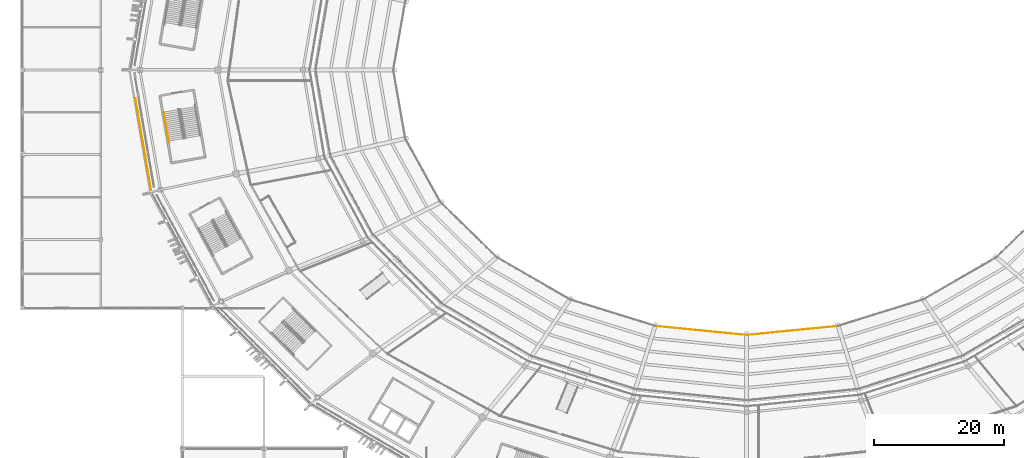
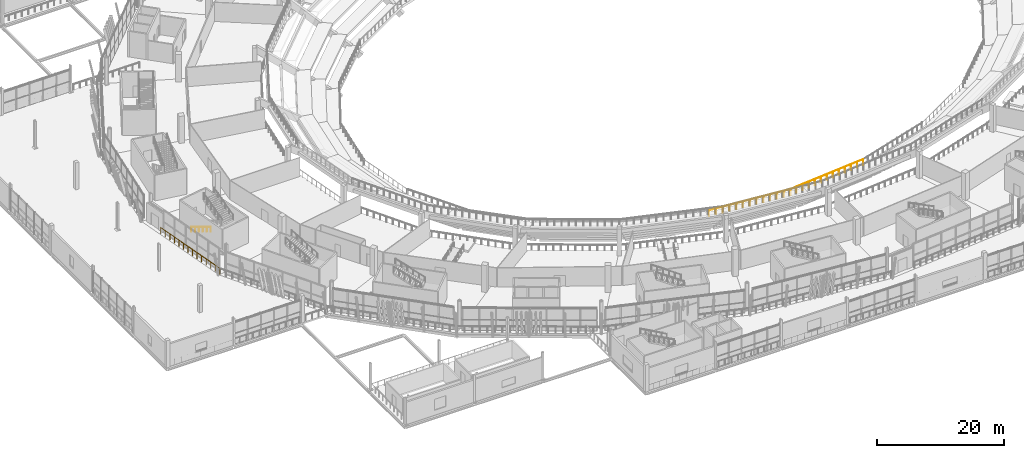
# One storey, part 151 of 178: 4 railings.
"""IFC4 building model written with IfcOpenShell, lengths in metres."""

from ifc_helpers import new_model, si_unit, direction, frame, origin, origin_2d, place, context, subcontext, project, spatial, rectangle, extrude, material, type_object, element, save


model = new_model("IFC4")

# Units and contexts
model_context = context("Model", 3, precision=1e-05, world=origin(), true_north=direction((0.0, 1.0)))
body_context = subcontext(model_context, "Body", "Model", "MODEL_VIEW")
ifc_project = project(units=[si_unit("LENGTHUNIT", "METRE"), si_unit("AREAUNIT", "SQUARE_METRE"), si_unit("VOLUMEUNIT", "CUBIC_METRE"), si_unit("PLANEANGLEUNIT", "RADIAN"), si_unit("MASSUNIT", "GRAM", prefix="KILO")], contexts=[model_context])

# Site, building, storey
site_placement = place(None, origin())
site = spatial("IfcSite", under=ifc_project, at=site_placement, CompositionType="ELEMENT")
building_placement = place(site_placement, origin())
building = spatial("IfcBuilding", under=site, at=building_placement, Name="Zlatoyarsky Gate Stadium", CompositionType="ELEMENT")
storey_placement = place(building_placement, frame((0.0, 0.0, 5.39990234375)))
storey = spatial("IfcBuildingStorey", under=building, at=storey_placement, Name="L01", CompositionType="ELEMENT", Elevation=5.39990234375)

# Railings
ifc_material_1 = material(Name="Galvanised steel sightline guardrail", Category="steel")
railing_type_1 = type_object("IfcRailingType", Name="BOWL FRONT SIGHTLINE GUARDRAIL 1150", PredefinedType="GUARDRAIL", material=ifc_material_1)
railing_1_placement = place(storey_placement, frame((96.98486328125, 40.735107421875, -3.349853515625)))
element("IfcRailing", 1, at=railing_1_placement, inside=storey, type_object=railing_type_1, Name="Lower bowl front guardrail 17", PredefinedType="GUARDRAIL", context=body_context, shape_type="SweptSolid", body=[
    extrude(rectangle(XDim=0.048095703125, YDim=0.048095703125, at=origin_2d()), frame((0.0, 0.0, 1.1259765625), z_axis=(0.995152540377, -0.098343385039, 0.0), x_axis=(0.098343385039, 0.995152540377, 0.0)), (0.0, 0.0, 1.0), 14.08349609375),
    extrude(rectangle(XDim=0.0419921875, YDim=0.0419921875, at=origin_2d()), origin(), (0.0, 0.0, 1.0), 1.101806640625),
    extrude(rectangle(XDim=0.0419921875, YDim=0.0419921875, at=origin_2d()), frame((1.16796875, -0.115478515625, 0.0)), (0.0, 0.0, 1.0), 1.101806640625),
    extrude(rectangle(XDim=0.0419921875, YDim=0.0419921875, at=origin_2d()), frame((2.3359375, -0.23095703125, 0.0)), (0.0, 0.0, 1.0), 1.101806640625),
    extrude(rectangle(XDim=0.0419921875, YDim=0.0419921875, at=origin_2d()), frame((3.50390625, -0.34619140625, 0.0)), (0.0, 0.0, 1.0), 1.101806640625),
    extrude(rectangle(XDim=0.0419921875, YDim=0.0419921875, at=origin_2d()), frame((4.671630859375, -0.461669921875, 0.0)), (0.0, 0.0, 1.0), 1.101806640625),
    extrude(rectangle(XDim=0.0419921875, YDim=0.0419921875, at=origin_2d()), frame((5.839599609375, -0.5771484375, 0.0)), (0.0, 0.0, 1.0), 1.101806640625),
    extrude(rectangle(XDim=0.0419921875, YDim=0.0419921875, at=origin_2d()), frame((7.007568359375, -0.6923828125, 0.0)), (0.0, 0.0, 1.0), 1.101806640625),
    extrude(rectangle(XDim=0.0419921875, YDim=0.0419921875, at=origin_2d()), frame((8.175537109375, -0.807861328125, 0.0)), (0.0, 0.0, 1.0), 1.101806640625),
    extrude(rectangle(XDim=0.0419921875, YDim=0.0419921875, at=origin_2d()), frame((9.343505859375, -0.92333984375, 0.0)), (0.0, 0.0, 1.0), 1.101806640625),
    extrude(rectangle(XDim=0.0419921875, YDim=0.0419921875, at=origin_2d()), frame((10.51123046875, -1.038818359375, 0.0)), (0.0, 0.0, 1.0), 1.101806640625),
    extrude(rectangle(XDim=0.0419921875, YDim=0.0419921875, at=origin_2d()), frame((11.67919921875, -1.154296875, 0.0)), (0.0, 0.0, 1.0), 1.101806640625),
    extrude(rectangle(XDim=0.0419921875, YDim=0.0419921875, at=origin_2d()), frame((12.84716796875, -1.26953125, 0.0)), (0.0, 0.0, 1.0), 1.101806640625),
    extrude(rectangle(XDim=0.0419921875, YDim=0.0419921875, at=origin_2d()), frame((14.01513671875, -1.385009765625, 0.0)), (0.0, 0.0, 1.0), 1.101806640625),
])
railing_2_placement = place(storey_placement, frame((111.0, 39.35009765625, -3.349853515625)))
element("IfcRailing", 2, at=railing_2_placement, inside=storey, type_object=railing_type_1, Name="Lower bowl front guardrail 18", PredefinedType="GUARDRAIL", context=body_context, shape_type="SweptSolid", body=[
    extrude(rectangle(XDim=0.048095703125, YDim=0.048095703125, at=origin_2d()), frame((0.0, 0.0, 1.1259765625), z_axis=(0.995152540377, 0.098343385039, 0.0), x_axis=(-0.098343385039, 0.995152540377, 0.0)), (0.0, 0.0, 1.0), 14.08349609375),
    extrude(rectangle(XDim=0.0419921875, YDim=0.0419921875, at=origin_2d()), origin(), (0.0, 0.0, 1.0), 1.101806640625),
    extrude(rectangle(XDim=0.0419921875, YDim=0.0419921875, at=origin_2d()), frame((1.16796875, 0.115478515625, 0.0)), (0.0, 0.0, 1.0), 1.101806640625),
    extrude(rectangle(XDim=0.0419921875, YDim=0.0419921875, at=origin_2d()), frame((2.3359375, 0.23095703125, 0.0)), (0.0, 0.0, 1.0), 1.101806640625),
    extrude(rectangle(XDim=0.0419921875, YDim=0.0419921875, at=origin_2d()), frame((3.50390625, 0.34619140625, 0.0)), (0.0, 0.0, 1.0), 1.101806640625),
    extrude(rectangle(XDim=0.0419921875, YDim=0.0419921875, at=origin_2d()), frame((4.671630859375, 0.461669921875, 0.0)), (0.0, 0.0, 1.0), 1.101806640625),
    extrude(rectangle(XDim=0.0419921875, YDim=0.0419921875, at=origin_2d()), frame((5.839599609375, 0.5771484375, 0.0)), (0.0, 0.0, 1.0), 1.101806640625),
    extrude(rectangle(XDim=0.0419921875, YDim=0.0419921875, at=origin_2d()), frame((7.007568359375, 0.6923828125, 0.0)), (0.0, 0.0, 1.0), 1.101806640625),
    extrude(rectangle(XDim=0.0419921875, YDim=0.0419921875, at=origin_2d()), frame((8.175537109375, 0.807861328125, 0.0)), (0.0, 0.0, 1.0), 1.101806640625),
    extrude(rectangle(XDim=0.0419921875, YDim=0.0419921875, at=origin_2d()), frame((9.343505859375, 0.92333984375, 0.0)), (0.0, 0.0, 1.0), 1.101806640625),
    extrude(rectangle(XDim=0.0419921875, YDim=0.0419921875, at=origin_2d()), frame((10.51123046875, 1.038818359375, 0.0)), (0.0, 0.0, 1.0), 1.101806640625),
    extrude(rectangle(XDim=0.0419921875, YDim=0.0419921875, at=origin_2d()), frame((11.67919921875, 1.154296875, 0.0)), (0.0, 0.0, 1.0), 1.101806640625),
    extrude(rectangle(XDim=0.0419921875, YDim=0.0419921875, at=origin_2d()), frame((12.84716796875, 1.26953125, 0.0)), (0.0, 0.0, 1.0), 1.101806640625),
    extrude(rectangle(XDim=0.0419921875, YDim=0.0419921875, at=origin_2d()), frame((14.01513671875, 1.385009765625, 0.0)), (0.0, 0.0, 1.0), 1.101806640625),
])
ifc_material_2 = material(Name="Powder-coated steel tubular guardrail", Category="steel")
railing_type_2 = type_object("IfcRailingType", Name="CONCOURSE SLAB EDGE GUARDRAIL 1200", PredefinedType="GUARDRAIL", material=ifc_material_2)
railing_3_placement = place(storey_placement, frame((17.32421875, 75.614013671875, 0.0)))
element("IfcRailing", 3, at=railing_3_placement, inside=storey, type_object=railing_type_2, Name="L01 outer slab edge guardrail 12", PredefinedType="GUARDRAIL", context=body_context, shape_type="SweptSolid", body=[
    extrude(rectangle(XDim=0.048095703125, YDim=0.048095703125, at=origin_2d()), frame((0.0, 0.0, 1.17578125), z_axis=(0.1691740321, -0.985586194538, 0.0), x_axis=(0.985586194538, 0.1691740321, 0.0)), (0.0, 0.0, 1.0), 14.56982421875),
    extrude(rectangle(XDim=0.0419921875, YDim=0.0419921875, at=origin_2d()), origin(), (0.0, 0.0, 1.0), 1.15185546875),
    extrude(rectangle(XDim=0.0419921875, YDim=0.0419921875, at=origin_2d()), frame((0.189697265625, -1.1044921875, 0.0)), (0.0, 0.0, 1.0), 1.15185546875),
    extrude(rectangle(XDim=0.0419921875, YDim=0.0419921875, at=origin_2d()), frame((0.379150390625, -2.209228515625, 0.0)), (0.0, 0.0, 1.0), 1.15185546875),
    extrude(rectangle(XDim=0.0419921875, YDim=0.0419921875, at=origin_2d()), frame((0.56884765625, -3.313720703125, 0.0)), (0.0, 0.0, 1.0), 1.15185546875),
    extrude(rectangle(XDim=0.0419921875, YDim=0.0419921875, at=origin_2d()), frame((0.75830078125, -4.41845703125, 0.0)), (0.0, 0.0, 1.0), 1.15185546875),
    extrude(rectangle(XDim=0.0419921875, YDim=0.0419921875, at=origin_2d()), frame((0.947998046875, -5.52294921875, 0.0)), (0.0, 0.0, 1.0), 1.15185546875),
    extrude(rectangle(XDim=0.0419921875, YDim=0.0419921875, at=origin_2d()), frame((1.1376953125, -6.627685546875, 0.0)), (0.0, 0.0, 1.0), 1.15185546875),
    extrude(rectangle(XDim=0.0419921875, YDim=0.0419921875, at=origin_2d()), frame((1.3271484375, -7.732177734375, 0.0)), (0.0, 0.0, 1.0), 1.15185546875),
    extrude(rectangle(XDim=0.0419921875, YDim=0.0419921875, at=origin_2d()), frame((1.516845703125, -8.8369140625, 0.0)), (0.0, 0.0, 1.0), 1.15185546875),
    extrude(rectangle(XDim=0.0419921875, YDim=0.0419921875, at=origin_2d()), frame((1.70654296875, -9.94140625, 0.0)), (0.0, 0.0, 1.0), 1.15185546875),
    extrude(rectangle(XDim=0.0419921875, YDim=0.0419921875, at=origin_2d()), frame((1.89599609375, -11.046142578125, 0.0)), (0.0, 0.0, 1.0), 1.15185546875),
    extrude(rectangle(XDim=0.0419921875, YDim=0.0419921875, at=origin_2d()), frame((2.085693359375, -12.150634765625, 0.0)), (0.0, 0.0, 1.0), 1.15185546875),
    extrude(rectangle(XDim=0.0419921875, YDim=0.0419921875, at=origin_2d()), frame((2.275146484375, -13.25537109375, 0.0)), (0.0, 0.0, 1.0), 1.15185546875),
    extrude(rectangle(XDim=0.0419921875, YDim=0.0419921875, at=origin_2d()), frame((2.46484375, -14.35986328125, 0.0)), (0.0, 0.0, 1.0), 1.15185546875),
])
ifc_material_3 = material(Name="Brushed stainless steel 316 handrail", Category="steel")
railing_type_3 = type_object("IfcRailingType", Name="STAINLESS STEEL TUBULAR HANDRAIL 900", PredefinedType="HANDRAIL", material=ifc_material_3)
railing_4_placement = place(storey_placement, frame((21.673828125, 73.5234375, 0.16650390625)))
element("IfcRailing", 4, at=railing_4_placement, inside=storey, type_object=railing_type_3, Name="ST-07 L01 stair handrail 1", PredefinedType="HANDRAIL", context=body_context, shape_type="SweptSolid", body=[
    extrude(rectangle(XDim=0.048095703125, YDim=0.048095703125, at=origin_2d()), frame((0.0, 0.0, 0.8759765625), z_axis=(0.149417737082, -0.866497652186, 0.476294193331), x_axis=(0.985456004189, 0.169930761806, 0.0)), (0.0, 0.0, 1.0), 5.458984375),
    extrude(rectangle(XDim=0.0419921875, YDim=0.0419921875, at=origin_2d()), origin(), (0.0, 0.0, 1.0), 0.851806640625),
    extrude(rectangle(XDim=0.0419921875, YDim=0.0419921875, at=origin_2d()), frame((0.1630859375, -0.946044921875, 0.52001953125)), (0.0, 0.0, 1.0), 0.851806640625),
    extrude(rectangle(XDim=0.0419921875, YDim=0.0419921875, at=origin_2d()), frame((0.326171875, -1.89208984375, 1.0400390625)), (0.0, 0.0, 1.0), 0.851806640625),
    extrude(rectangle(XDim=0.0419921875, YDim=0.0419921875, at=origin_2d()), frame((0.489501953125, -2.838134765625, 1.56005859375)), (0.0, 0.0, 1.0), 0.851806640625),
    extrude(rectangle(XDim=0.0419921875, YDim=0.0419921875, at=origin_2d()), frame((0.652587890625, -3.7841796875, 2.080078125)), (0.0, 0.0, 1.0), 0.851806640625),
    extrude(rectangle(XDim=0.0419921875, YDim=0.0419921875, at=origin_2d()), frame((0.815673828125, -4.730224609375, 2.60009765625)), (0.0, 0.0, 1.0), 0.851806640625),
])

save(model, "model.ifc")
